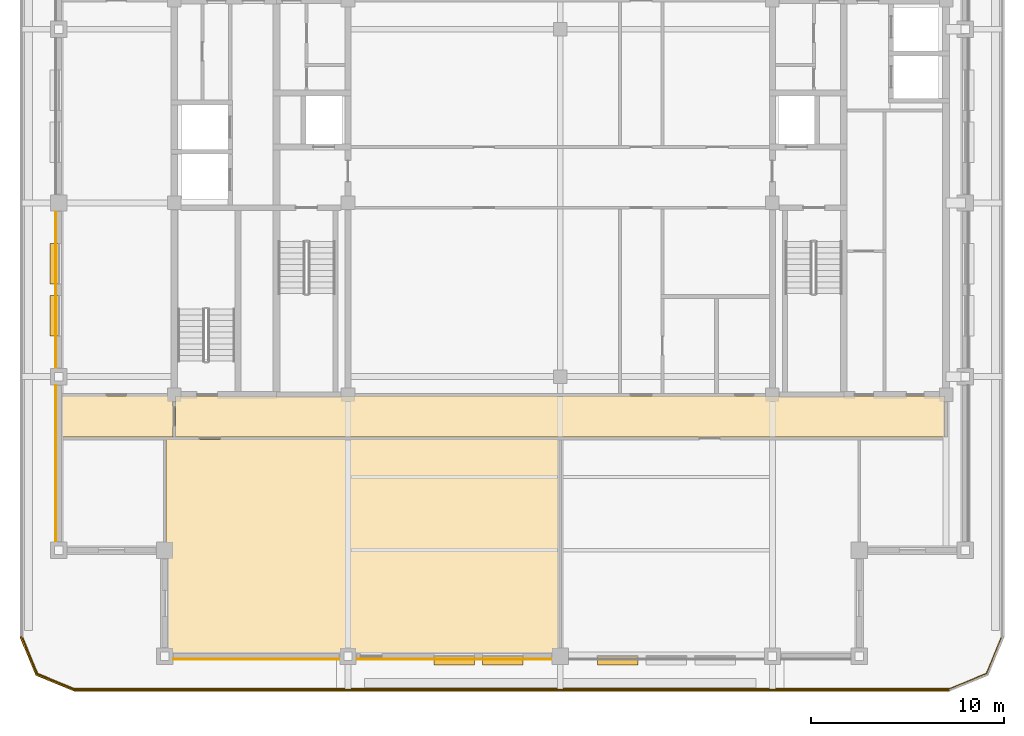
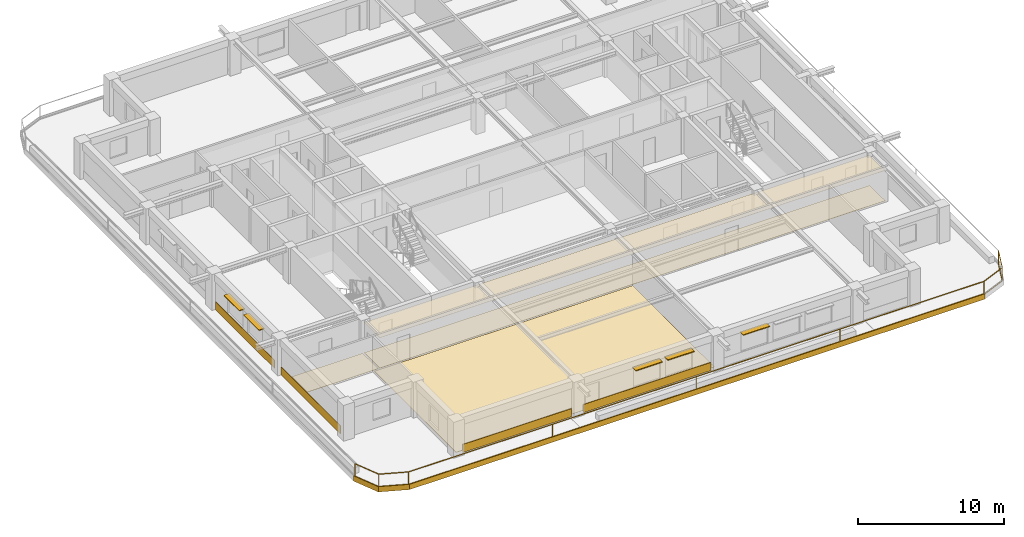
# One storey, part 7 of 11: 11 coverings, 5 shading devices, 1 railing.
"""IFC4 building model written with IfcOpenShell, lengths in metres."""

from ifc_helpers import new_model, si_unit, direction, frame, frame_2d, origin, origin_2d, place, context, subcontext, project, spatial, polyline, rectangle, outline, extrude, material, layer, layer_set, type_object, element, save


model = new_model("IFC4")

# Units and contexts
model_context = context("Model", 3, precision=1e-05, world=origin(), true_north=direction((0.0, 1.0)))
body_context = subcontext(model_context, "Body", "Model", "MODEL_VIEW")
ifc_project = project(units=[si_unit("LENGTHUNIT", "METRE"), si_unit("AREAUNIT", "SQUARE_METRE"), si_unit("VOLUMEUNIT", "CUBIC_METRE"), si_unit("PLANEANGLEUNIT", "RADIAN"), si_unit("MASSUNIT", "GRAM", prefix="KILO")], contexts=[model_context])

# Site, building, storey
site_placement = place(None, origin())
site = spatial("IfcSite", under=ifc_project, at=site_placement, CompositionType="ELEMENT")
building_placement = place(site_placement, origin())
building = spatial("IfcBuilding", under=site, at=building_placement, Name="Zulmaris Gate Convention Tower", CompositionType="ELEMENT")
storey_placement = place(building_placement, frame((0.0, 0.0, 260.889892578125)))
storey = spatial("IfcBuildingStorey", under=building, at=storey_placement, Name="L69", CompositionType="ELEMENT", Elevation=260.889892578125)

# Coverings
ifc_material_1 = material(Name="Precast concrete C40/50", Category="concrete")
ifc_layer_1 = layer(ifc_material_1, 0.0400390625, Name="Precast concrete C40/50")
ifc_layer_set_1 = layer_set([ifc_layer_1], Name="Precast concrete C40/50")
covering_type_1 = type_object("IfcCoveringType", Name="CLAD-SPANDREL-PRECAST", PredefinedType="CLADDING", material=ifc_layer_set_1)
covering_1_placement = place(storey_placement, frame((-20.044921875, -23.64990234375, 0.0), z_axis=(0.0, 0.0, 1.0), x_axis=(1.0, 0.0, 0.0)))
element("IfcCovering", 1, at=covering_1_placement, inside=storey, type_object=covering_type_1, Name="CLD-L69-S-0_0", PredefinedType="CLADDING", context=body_context, shape_type="SweptSolid", body=[
    extrude(rectangle(XDim=8.58984375, YDim=0.0400390625, at=frame_2d((4.294921875, 0.0))), origin(), (0.0, 0.0, 1.0), 0.679931640625),
])
covering_2_placement = place(storey_placement, frame((-10.544921875, -23.64990234375, 0.0), z_axis=(0.0, 0.0, 1.0), x_axis=(1.0, 0.0, 0.0)))
element("IfcCovering", 2, at=covering_2_placement, inside=storey, type_object=covering_type_1, Name="CLD-L69-S-1_0", PredefinedType="CLADDING", context=body_context, shape_type="SweptSolid", body=[
    extrude(rectangle(XDim=10.08984375, YDim=0.0400390625, at=frame_2d((5.044921875, 0.0))), origin(), (0.0, 0.0, 1.0), 0.679931640625),
])
for number, where, z_axis, x_axis, name in (
    (3, (-26.14990234375, -9.455078125, 0.0), (0.0, 0.0, 1.0), (0.0, -1.0, 0.0), "CLD-L69-W-0_0"),
    (4, (-26.14990234375, -0.455078125, 0.0), (0.0, 0.0, 1.0), (0.0, -1.0, 0.0), "CLD-L69-W-1_0"),
):
    element("IfcCovering", number, at=place(storey_placement, frame(where, z_axis=z_axis, x_axis=x_axis)), inside=storey, type_object=covering_type_1, Name=name, PredefinedType="CLADDING", context=body_context, shape_type="SweptSolid", body=[
        extrude(rectangle(XDim=8.08984375, YDim=0.0400390625, at=frame_2d((4.044921875, 0.0))), origin(), (0.0, 0.0, 1.0), 0.679931640625),
    ])
ifc_material_2 = material(Name="White Glazed Architectural Precast Concrete C40/50", Category="concrete")
ifc_layer_2 = layer(ifc_material_2, 0.080078125, Name="White Glazed Architectural Precast Concrete C40/50")
ifc_layer_set_2 = layer_set([ifc_layer_2], Name="White Glazed Architectural Precast Concrete C40/50")
covering_type_2 = type_object("IfcCoveringType", Name="CLAD-TRAY-FASCIA", PredefinedType="CLADDING", material=ifc_layer_set_2)
covering_3_placement = place(storey_placement, frame((-27.962890625, -22.484619140625, -0.2900390625), z_axis=(0.0, 0.0, 1.0), x_axis=(0.382656984709, -0.923890487046, 0.0)))
element("IfcCovering", 5, at=covering_3_placement, inside=storey, type_object=covering_type_2, Name="FSC-L69-TR-00", PredefinedType="CLADDING", context=body_context, shape_type="SweptSolid", body=[
    extrude(rectangle(XDim=2.14306640625, YDim=0.080078125, at=frame_2d((1.071533203125, 0.0))), origin(), (0.0, 0.0, 1.0), 0.43994140625),
])
covering_4_placement = place(storey_placement, frame((-27.16455078125, -24.44287109375, -0.2900390625), z_axis=(0.0, 0.0, 1.0), x_axis=(0.923873803533, -0.382697263049, 0.0)))
element("IfcCovering", 6, at=covering_4_placement, inside=storey, type_object=covering_type_2, Name="FSC-L69-TR-01", PredefinedType="CLADDING", context=body_context, shape_type="SweptSolid", body=[
    extrude(rectangle(XDim=2.142822265625, YDim=0.080078125, at=frame_2d((1.0712890625, 0.0))), origin(), (0.0, 0.0, 1.0), 0.43994140625),
])
covering_5_placement = place(storey_placement, frame((-25.199951171875, -25.260009765625, -0.2900390625), z_axis=(0.0, 0.0, 1.0), x_axis=(1.0, 0.0, 0.0)))
element("IfcCovering", 7, at=covering_5_placement, inside=storey, type_object=covering_type_2, Name="FSC-L69-TR-02", PredefinedType="CLADDING", context=body_context, shape_type="SweptSolid", body=[
    extrude(rectangle(XDim=45.39990234375, YDim=0.080078125, at=frame_2d((22.699951171875, 0.0))), origin(), (0.0, 0.0, 1.0), 0.43994140625),
])
ifc_material_3 = material(Name="Mineral Fibre Acoustic Ceiling Tile")
ifc_layer_3 = layer(ifc_material_3, 0.02001953125, Name="Mineral Fibre Acoustic Ceiling Tile")
ifc_layer_set_3 = layer_set([ifc_layer_3], Name="Mineral Fibre Acoustic Ceiling Tile")
covering_type_3 = type_object("IfcCoveringType", Name="CLG-ACOUSTIC-600", PredefinedType="CEILING", material=ifc_layer_set_3)
covering_6_placement = place(storey_placement, frame((0.0, 0.0, 2.5380859375)))
element("IfcCovering", 8, at=covering_6_placement, inside=storey, type_object=covering_type_3, Name="CLG-L69-R33", PredefinedType="CEILING", context=body_context, shape_type="SweptSolid", body=[
    extrude(outline(polyline([(-19.93994140625, -12.139892578125), (19.93994140625, -12.139892578125), (19.93994140625, -10.010009765625), (-19.93994140625, -10.010009765625), (-19.93994140625, -12.139892578125)])), origin(), (0.0, 0.0, 1.0), 0.02001953125),
])
ifc_material_4 = material(Name="Woven Acoustic Wool Carpet Tile")
ifc_layer_4 = layer(ifc_material_4, 0.02001953125, Name="Woven Acoustic Wool Carpet Tile")
ifc_layer_set_4 = layer_set([ifc_layer_4], Name="Woven Acoustic Wool Carpet Tile")
covering_type_4 = type_object("IfcCoveringType", Name="FLR-CARPET-12", PredefinedType="FLOORING", material=ifc_layer_set_4)
covering_7_placement = place(storey_placement, origin())
element("IfcCovering", 9, at=covering_7_placement, inside=storey, type_object=covering_type_4, Name="FLR-L69-R33", PredefinedType="FLOORING", context=body_context, shape_type="SweptSolid", body=[
    extrude(outline(polyline([(-19.93994140625, -12.139892578125), (19.93994140625, -12.139892578125), (19.93994140625, -10.010009765625), (-19.93994140625, -10.010009765625), (-19.93994140625, -12.139892578125)])), origin(), (0.0, 0.0, 1.0), 0.02001953125),
])
covering_8_placement = place(storey_placement, origin())
element("IfcCovering", 10, at=covering_8_placement, inside=storey, type_object=covering_type_4, Name="FLR-L69-R40", PredefinedType="FLOORING", context=body_context, shape_type="SweptSolid", body=[
    extrude(outline(polyline([(-20.43994140625, -23.43994140625), (-0.06005859375, -23.43994140625), (-0.06005859375, -12.260009765625), (-20.43994140625, -12.260009765625), (-20.43994140625, -23.43994140625)])), origin(), (0.0, 0.0, 1.0), 0.02001953125),
])
covering_9_placement = place(storey_placement, origin())
element("IfcCovering", 11, at=covering_9_placement, inside=storey, type_object=covering_type_4, Name="FLR-L69-R49", PredefinedType="FLOORING", context=body_context, shape_type="SweptSolid", body=[
    extrude(outline(polyline([(-25.93994140625, -12.139892578125), (-20.06005859375, -12.139892578125), (-20.06005859375, -10.010009765625), (-25.93994140625, -10.010009765625), (-25.93994140625, -12.139892578125)])), origin(), (0.0, 0.0, 1.0), 0.02001953125),
])

# Railing
ifc_material_5 = material(Name="Laminated Glass and Stainless Steel", Category="steel")
railing_type = type_object("IfcRailingType", Name="RL-BALC-1150", PredefinedType="BALUSTRADE", material=ifc_material_5)
railing_placement = place(storey_placement, frame((-27.8798828125, -22.5, -0.010009765625)))
element("IfcRailing", 12, at=railing_placement, inside=storey, type_object=railing_type, Name="RL-L69-BALC-S", PredefinedType="BALUSTRADE", context=body_context, shape_type="SweptSolid", body=[
    extrude(rectangle(XDim=0.048095703125, YDim=0.048095703125, at=origin_2d()), frame((0.0, 0.0, 1.1259765625), z_axis=(0.382670664694, -0.92388482095, 0.0), x_axis=(0.92388482095, 0.382670664694, 0.0)), (0.0, 0.0, 1.0), 2.051025390625),
    extrude(rectangle(XDim=0.048095703125, YDim=0.048095703125, at=origin_2d()), frame((0.0, 0.0, 0.02392578125), z_axis=(0.382670664694, -0.92388482095, 0.0), x_axis=(0.92388482095, 0.382670664694, 0.0)), (0.0, 0.0, 1.0), 2.051025390625),
    extrude(rectangle(XDim=0.048095703125, YDim=0.048095703125, at=origin_2d()), frame((0.784912109375, -1.89501953125, 1.1259765625), z_axis=(0.92388482095, -0.382670664694, 0.0), x_axis=(0.382670664694, 0.92388482095, 0.0)), (0.0, 0.0, 1.0), 2.051025390625),
    extrude(rectangle(XDim=0.048095703125, YDim=0.048095703125, at=origin_2d()), frame((0.784912109375, -1.89501953125, 0.02392578125), z_axis=(0.92388482095, -0.382670664694, 0.0), x_axis=(0.382670664694, 0.92388482095, 0.0)), (0.0, 0.0, 1.0), 2.051025390625),
    extrude(rectangle(XDim=0.048095703125, YDim=0.048095703125, at=origin_2d()), frame((2.679931640625, -2.679931640625, 1.1259765625), z_axis=(1.0, 0.0, 0.0), x_axis=(0.0, 1.0, 0.0)), (0.0, 0.0, 1.0), 45.39990234375),
    extrude(rectangle(XDim=0.048095703125, YDim=0.048095703125, at=origin_2d()), frame((2.679931640625, -2.679931640625, 0.02392578125), z_axis=(1.0, 0.0, 0.0), x_axis=(0.0, 1.0, 0.0)), (0.0, 0.0, 1.0), 45.39990234375),
    extrude(rectangle(XDim=0.048095703125, YDim=0.048095703125, at=origin_2d()), frame((48.079833984375, -2.679931640625, 1.1259765625), z_axis=(0.92388482095, 0.382670664694, 0.0), x_axis=(-0.382670664694, 0.92388482095, 0.0)), (0.0, 0.0, 1.0), 2.051025390625),
    extrude(rectangle(XDim=0.048095703125, YDim=0.048095703125, at=origin_2d()), frame((48.079833984375, -2.679931640625, 0.02392578125), z_axis=(0.92388482095, 0.382670664694, 0.0), x_axis=(-0.382670664694, 0.92388482095, 0.0)), (0.0, 0.0, 1.0), 2.051025390625),
    extrude(rectangle(XDim=0.048095703125, YDim=0.048095703125, at=origin_2d()), frame((49.974853515625, -1.89501953125, 1.1259765625), z_axis=(0.382670664694, 0.92388482095, 0.0), x_axis=(-0.92388482095, 0.382670664694, 0.0)), (0.0, 0.0, 1.0), 2.051025390625),
    extrude(rectangle(XDim=0.048095703125, YDim=0.048095703125, at=origin_2d()), frame((49.974853515625, -1.89501953125, 0.02392578125), z_axis=(0.382670664694, 0.92388482095, 0.0), x_axis=(-0.92388482095, 0.382670664694, 0.0)), (0.0, 0.0, 1.0), 2.051025390625),
    extrude(rectangle(XDim=0.0419921875, YDim=0.0419921875, at=origin_2d()), origin(), (0.0, 0.0, 1.0), 1.101806640625),
    extrude(rectangle(XDim=0.0419921875, YDim=0.0419921875, at=origin_2d()), frame((0.784912109375, -1.89501953125, 0.0)), (0.0, 0.0, 1.0), 1.101806640625),
    extrude(rectangle(XDim=0.0419921875, YDim=0.0419921875, at=origin_2d()), frame((2.679931640625, -2.679931640625, 0.0)), (0.0, 0.0, 1.0), 1.101806640625),
    extrude(rectangle(XDim=0.0419921875, YDim=0.0419921875, at=origin_2d()), frame((14.02978515625, -2.679931640625, 0.0)), (0.0, 0.0, 1.0), 1.101806640625),
    extrude(rectangle(XDim=0.0419921875, YDim=0.0419921875, at=origin_2d()), frame((25.3798828125, -2.679931640625, 0.0)), (0.0, 0.0, 1.0), 1.101806640625),
    extrude(rectangle(XDim=0.0419921875, YDim=0.0419921875, at=origin_2d()), frame((36.72998046875, -2.679931640625, 0.0)), (0.0, 0.0, 1.0), 1.101806640625),
    extrude(rectangle(XDim=0.0419921875, YDim=0.0419921875, at=origin_2d()), frame((48.079833984375, -2.679931640625, 0.0)), (0.0, 0.0, 1.0), 1.101806640625),
    extrude(rectangle(XDim=0.0419921875, YDim=0.0419921875, at=origin_2d()), frame((49.974853515625, -1.89501953125, 0.0)), (0.0, 0.0, 1.0), 1.101806640625),
    extrude(rectangle(XDim=0.0419921875, YDim=0.0419921875, at=origin_2d()), frame((50.759765625, 0.0, 0.0)), (0.0, 0.0, 1.0), 1.101806640625),
])

# Shading devices
ifc_material_6 = material(Name="Glazed Ceramic Terracotta", Category="masonry")
ifc_layer_5 = layer(ifc_material_6, 0.070068359375, Name="Glazed Ceramic Terracotta")
ifc_layer_set_5 = layer_set([ifc_layer_5], Name="Glazed Ceramic Terracotta")
shading_device_type = type_object("IfcShadingDeviceType", Name="SHD-SUNSHADE-TC", PredefinedType="AWNING", material=ifc_layer_set_5)
for number, where, z_axis, x_axis, name in (
    (13, (-6.550048828125, -23.719970703125, 2.22998046875), (0.0, 0.0, 1.0), (1.0, 0.0, 0.0), "SHD-EW-L69-S-1_0-2"),
    (14, (-4.027099609375, -23.719970703125, 2.22998046875), (0.0, 0.0, 1.0), (1.0, 0.0, 0.0), "SHD-EW-L69-S-1_0-3"),
    (15, (1.927001953125, -23.719970703125, 2.22998046875), (0.0, 0.0, 1.0), (1.0, 0.0, 0.0), "SHD-EW-L69-S-2_0-1"),
):
    element("IfcShadingDevice", number, at=place(storey_placement, frame(where, z_axis=z_axis, x_axis=x_axis)), inside=storey, type_object=shading_device_type, Name=name, PredefinedType="AWNING", context=body_context, shape_type="SweptSolid", body=[
        extrude(rectangle(XDim=2.10009765625, YDim=0.43994140625, at=frame_2d((1.050048828125, 0.0))), origin(), (0.0, 0.0, 1.0), 0.070068359375),
    ])
for number, where, z_axis, x_axis, name in (
    (16, (-26.219970703125, -2.10205078125, 2.22998046875), (0.0, 0.0, 1.0), (0.0, -1.0, 0.0), "SHD-EW-L69-W-1_0-1"),
    (17, (-26.219970703125, -4.798095703125, 2.22998046875), (0.0, 0.0, 1.0), (0.0, -1.0, 0.0), "SHD-EW-L69-W-1_0-2"),
):
    element("IfcShadingDevice", number, at=place(storey_placement, frame(where, z_axis=z_axis, x_axis=x_axis)), inside=storey, type_object=shading_device_type, Name=name, PredefinedType="AWNING", context=body_context, shape_type="SweptSolid", body=[
        extrude(rectangle(XDim=2.099853515625, YDim=0.43994140625, at=frame_2d((1.0498046875, 0.0))), origin(), (0.0, 0.0, 1.0), 0.070068359375),
    ])

save(model, "model.ifc")
